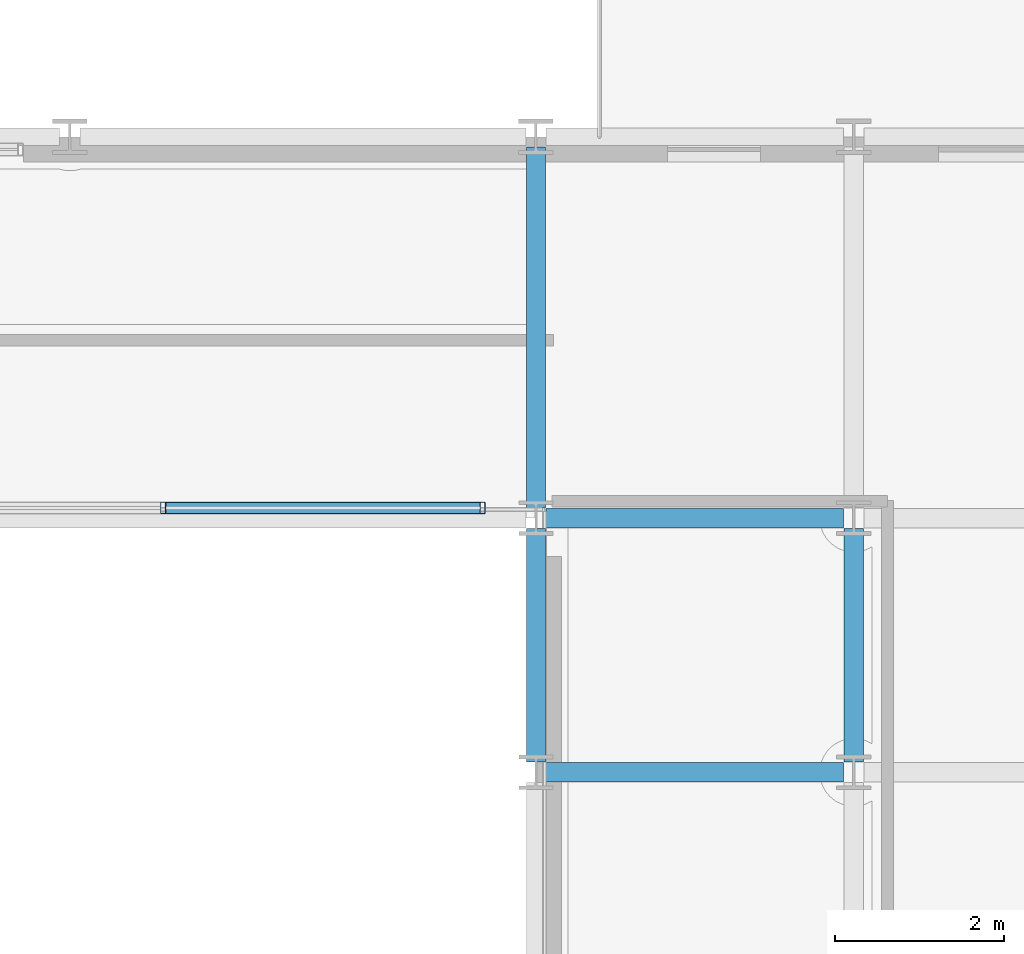
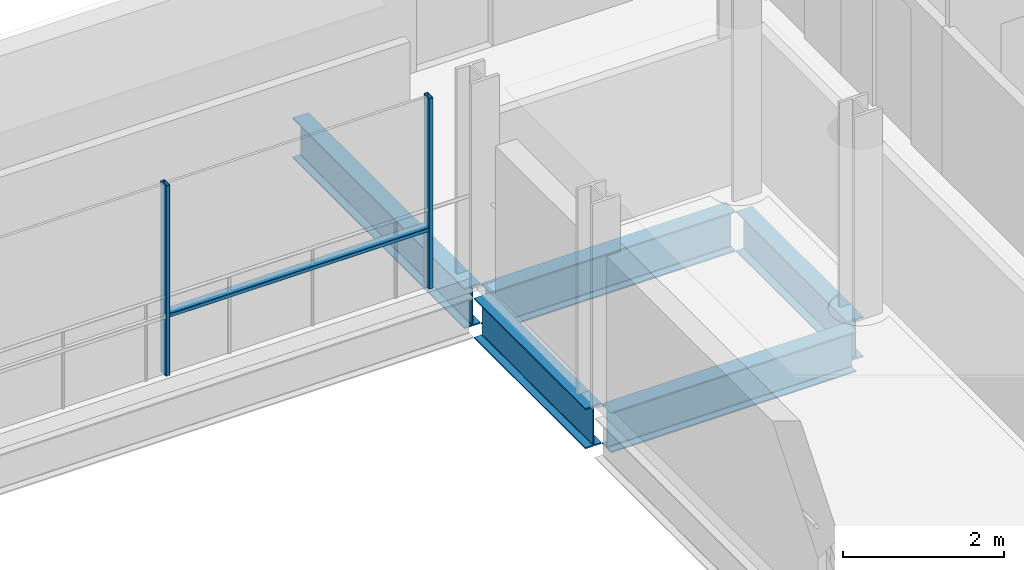
# One storey, part 19 of 41: 5 beams, 3 members, 1 element without a shape of its own.
"""IFC4 building model written with IfcOpenShell, lengths in metres."""

from ifc_helpers import new_model, si_unit, direction, frame, origin, origin_2d, place, context, subcontext, project, spatial, hollow_rectangle, i_section, extrude, material, layer, layer_set, material_profile, profile_set, type_object, element, aggregate, save


model = new_model("IFC4")

# Units and contexts
model_context = context("Model", 3, precision=1e-05, world=origin(), true_north=direction((0.0, 1.0)))
body_context = subcontext(model_context, "Body", "Model", "MODEL_VIEW")
ifc_project = project(units=[si_unit("LENGTHUNIT", "METRE"), si_unit("AREAUNIT", "SQUARE_METRE"), si_unit("VOLUMEUNIT", "CUBIC_METRE"), si_unit("PLANEANGLEUNIT", "RADIAN"), si_unit("MASSUNIT", "GRAM", prefix="KILO")], contexts=[model_context])

# Site, building, storey
site_placement = place(None, origin())
site = spatial("IfcSite", under=ifc_project, at=site_placement, CompositionType="ELEMENT")
building_placement = place(site_placement, origin())
building = spatial("IfcBuilding", under=site, at=building_placement, Name="Brevholm Reach", CompositionType="ELEMENT")
storey_placement = place(building_placement, frame((0.0, 0.0, 144.89990234375)))
storey = spatial("IfcBuildingStorey", under=building, at=storey_placement, Name="L43", CompositionType="ELEMENT", Elevation=144.89990234375)

# Beams
ifc_material_1 = material(Name="Structural Steel S355J2", Category="steel")
ifc_material_profile_1 = material_profile(ifc_material_1, i_section(OverallWidth=0.22900390625, OverallDepth=0.6123046875, WebThickness=0.011962890625, FlangeThickness=0.01953125, FilletRadius=0.0126953125, at=origin_2d()), Name="UKB 610x229x125")
ifc_profile_set_1 = profile_set([ifc_material_profile_1], Name="Structural Steel S355J2")
beam_type = type_object("IfcBeamType", Name="BM-SP610", PredefinedType="SPANDREL", material=ifc_profile_set_1)
for number, where, z_axis, x_axis, name in (
    (1, (38.3701171875, 23.5, -0.526123046875), (1.0, 0.0, 0.0), (0.0, 1.0, 0.0), "L43 SP-01 Framing Beam"),
    (2, (38.3701171875, 26.5, -0.526123046875), (1.0, 0.0, 0.0), (0.0, 1.0, 0.0), "L43 SP-01 Framing Beam"),
):
    element("IfcBeam", number, at=place(storey_placement, frame(where, z_axis=z_axis, x_axis=x_axis)), inside=storey, type_object=beam_type, Name=name, PredefinedType="SPANDREL", context=body_context, shape_type="SweptSolid", body=[
        extrude(i_section(OverallWidth=0.22900390625, OverallDepth=0.6123046875, WebThickness=0.011962890625, FlangeThickness=0.01953125, FilletRadius=0.0126953125, at=origin_2d()), origin(), (0.0, 0.0, 1.0), 3.509765625),
    ])
beam_1_placement = place(storey_placement, frame((38.25, 23.6201171875, -0.526123046875), z_axis=(0.0, 1.0, 0.0), x_axis=(-1.0, 0.0, 0.0)))
element("IfcBeam", 3, at=beam_1_placement, inside=storey, type_object=beam_type, Name="L43 SP-01 Framing Beam", PredefinedType="SPANDREL", context=body_context, shape_type="SweptSolid", body=[
    extrude(i_section(OverallWidth=0.22900390625, OverallDepth=0.6123046875, WebThickness=0.011962890625, FlangeThickness=0.01953125, FilletRadius=0.0126953125, at=origin_2d()), origin(), (0.0, 0.0, 1.0), 2.759765625),
])
beam_2_placement = place(storey_placement, frame((38.25, 26.6201171875, -0.526123046875), z_axis=(0.0, 1.0, 0.0), x_axis=(-1.0, 0.0, 0.0)))
element("IfcBeam", 4, at=beam_2_placement, inside=storey, type_object=beam_type, Name="L43 SP-01 Framing Beam", PredefinedType="SPANDREL", context=body_context, shape_type="SweptSolid", body=[
    extrude(i_section(OverallWidth=0.22900390625, OverallDepth=0.6123046875, WebThickness=0.011962890625, FlangeThickness=0.01953125, FilletRadius=0.0126953125, at=origin_2d()), origin(), (0.0, 0.0, 1.0), 4.259765625),
])
beam_3_placement = place(storey_placement, frame((42.0, 23.6201171875, -0.526123046875), z_axis=(0.0, 1.0, 0.0), x_axis=(-1.0, 0.0, 0.0)))
element("IfcBeam", 5, at=beam_3_placement, inside=storey, type_object=beam_type, Name="L43 SP-01 Framing Beam", PredefinedType="SPANDREL", context=body_context, shape_type="SweptSolid", body=[
    extrude(i_section(OverallWidth=0.22900390625, OverallDepth=0.6123046875, WebThickness=0.011962890625, FlangeThickness=0.01953125, FilletRadius=0.0126953125, at=origin_2d()), origin(), (0.0, 0.0, 1.0), 2.759765625),
])

# Curtain wall, members
ifc_material_2 = material(Name="Dark Anodised Aluminium 6063-T6 and Solar-Control Glass", Category="aluminium")
ifc_layer = layer(ifc_material_2, 0.139892578125)
ifc_layer_set = layer_set([ifc_layer], Name="Dark Anodised Aluminium 6063-T6 and Solar-Control Glass")
curtain_wall_type = type_object("IfcCurtainWallType", Name="CW-02", PredefinedType="NOTDEFINED", material=ifc_layer_set)
curtain_wall_placement = place(storey_placement, origin())
curtain_wall = element("IfcCurtainWall", 6, at=curtain_wall_placement, inside=storey, type_object=curtain_wall_type, Name="L43 Curtain Wall CW-02", PredefinedType="NOTDEFINED")
ifc_material_3 = material(Name="Dark Anodised Aluminium 6063-T6", Category="aluminium")
ifc_material_profile_2 = material_profile(ifc_material_3, hollow_rectangle(XDim=0.06005859375, YDim=0.139892578125, WallThickness=0.0048828125, InnerFilletRadius=0.0048828125, OuterFilletRadius=0.010009765625, at=origin_2d()), Name="RHS 140x60x5")
ifc_profile_set_2 = profile_set([ifc_material_profile_2], Name="Dark Anodised Aluminium 6063-T6")
member_type_1 = type_object("IfcMemberType", Name="CWM-140", PredefinedType="MULLION", material=ifc_profile_set_2)
member_1_placement = place(storey_placement, frame((37.6201171875, 26.6201171875, 0.0), z_axis=(0.0, 0.0, 1.0), x_axis=(-1.0, 0.0, 0.0)))
member_1 = element("IfcMember", 7, at=member_1_placement, type_object=member_type_1, Name="CM-140 Mullion 1", PredefinedType="MULLION", context=body_context, shape_type="SweptSolid", body=[
    extrude(hollow_rectangle(XDim=0.06005859375, YDim=0.139892578125, WallThickness=0.0048828125, InnerFilletRadius=0.0048828125, OuterFilletRadius=0.010009765625, at=origin_2d()), origin(), (0.0, 0.0, 1.0), 2.880126953125),
])
member_2_placement = place(storey_placement, frame((33.85009765625, 26.6201171875, 0.0), z_axis=(0.0, 0.0, 1.0), x_axis=(-1.0, 0.0, 0.0)))
member_2 = element("IfcMember", 8, at=member_2_placement, type_object=member_type_1, Name="CM-140 Mullion 2", PredefinedType="MULLION", context=body_context, shape_type="SweptSolid", body=[
    extrude(hollow_rectangle(XDim=0.06005859375, YDim=0.139892578125, WallThickness=0.0048828125, InnerFilletRadius=0.0048828125, OuterFilletRadius=0.010009765625, at=origin_2d()), origin(), (0.0, 0.0, 1.0), 2.880126953125),
])
ifc_material_4 = material(Name="Dark Anodised Aluminium 6063-T6", Category="aluminium")
ifc_material_profile_3 = material_profile(ifc_material_4, hollow_rectangle(XDim=0.06005859375, YDim=0.139892578125, WallThickness=0.0048828125, InnerFilletRadius=0.0048828125, OuterFilletRadius=0.010009765625, at=origin_2d()), Name="RHS 140x60x5")
ifc_profile_set_3 = profile_set([ifc_material_profile_3], Name="Dark Anodised Aluminium 6063-T6")
member_type_2 = type_object("IfcMemberType", Name="CWT-140", PredefinedType="NOTDEFINED", material=ifc_profile_set_3)
member_3_placement = place(storey_placement, frame((37.590087890625, 26.6201171875, 0.900146484375), z_axis=(-1.0, 0.0, 0.0), x_axis=(0.0, 0.0, 1.0)))
member_3 = element("IfcMember", 9, at=member_3_placement, type_object=member_type_2, Name="CT-140 Transom 1.1", ObjectType="TRANSOM", PredefinedType="USERDEFINED", context=body_context, shape_type="SweptSolid", body=[
    extrude(hollow_rectangle(XDim=0.06005859375, YDim=0.139892578125, WallThickness=0.0048828125, InnerFilletRadius=0.0048828125, OuterFilletRadius=0.010009765625, at=origin_2d()), origin(), (0.0, 0.0, 1.0), 3.710205078125),
])
aggregate(curtain_wall, [member_1, member_2, member_3])

save(model, "model.ifc")
